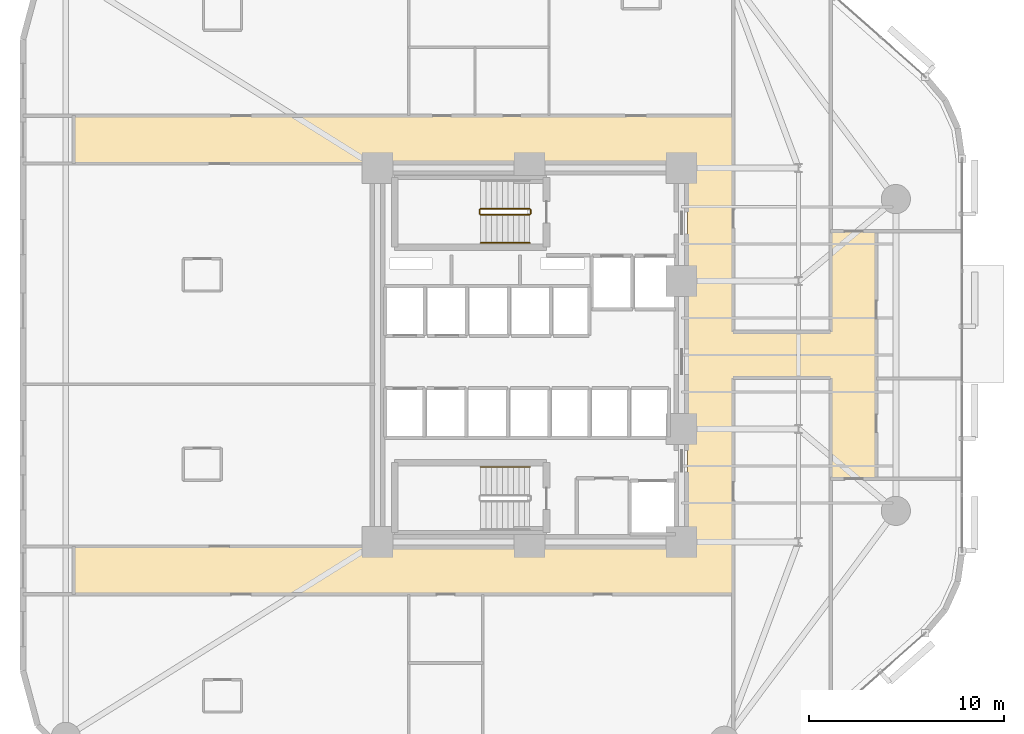
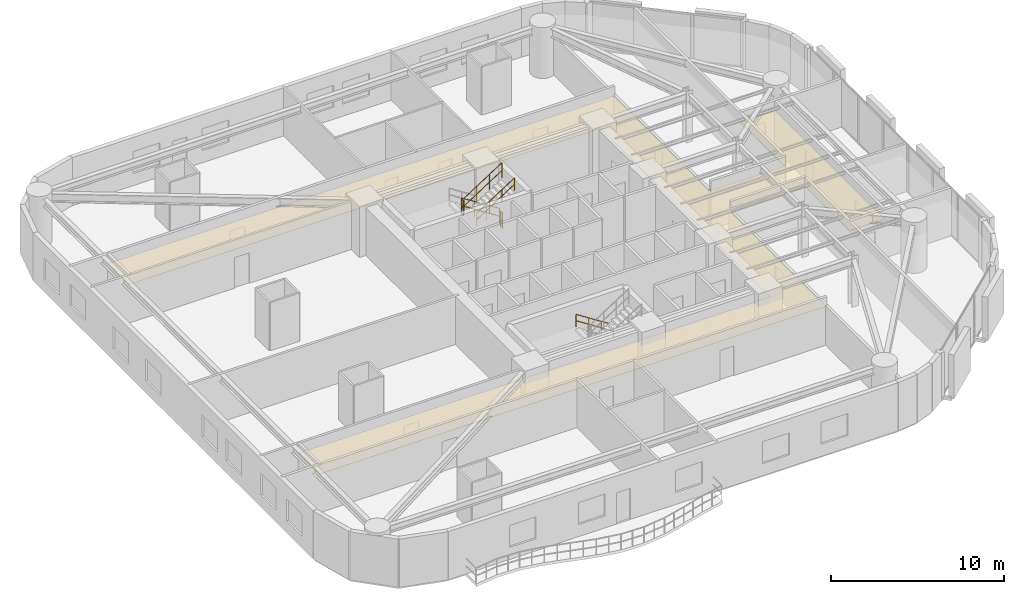
# One storey, part 15 of 16: 6 railings, 1 covering.
"""IFC4 building model written with IfcOpenShell, lengths in metres."""

from ifc_helpers import new_model, si_unit, direction, frame, origin, origin_2d, place, context, subcontext, project, spatial, polyline, circle, outline, extrude, material, layer, layer_set, type_object, element, save


model = new_model("IFC4")

# Units and contexts
model_context = context("Model", 3, precision=1e-05, world=origin(), true_north=direction((0.0, 1.0)))
body_context = subcontext(model_context, "Body", "Model", "MODEL_VIEW")
ifc_project = project(units=[si_unit("LENGTHUNIT", "METRE"), si_unit("AREAUNIT", "SQUARE_METRE"), si_unit("VOLUMEUNIT", "CUBIC_METRE"), si_unit("PLANEANGLEUNIT", "RADIAN"), si_unit("MASSUNIT", "GRAM", prefix="KILO")], contexts=[model_context])

# Site, building, storey
site_placement = place(None, origin())
site = spatial("IfcSite", under=ifc_project, at=site_placement, CompositionType="ELEMENT")
building_placement = place(site_placement, origin())
building = spatial("IfcBuilding", under=site, at=building_placement, Name="An Khanh Terracotta Commons", CompositionType="ELEMENT")
storey_placement = place(building_placement, frame((0.0, 0.0, 50.39990234375)))
storey = spatial("IfcBuildingStorey", under=building, at=storey_placement, Name="L13", CompositionType="ELEMENT", Elevation=50.39990234375)

# Covering
ifc_material_1 = material(Name="Perforated Mineral-Fibre Acoustic Tile")
ifc_layer = layer(ifc_material_1, 0.02001953125, Name="Perforated Mineral-Fibre Acoustic Tile")
ifc_layer_set = layer_set([ifc_layer], Name="Perforated Mineral-Fibre Acoustic Tile")
covering_type = type_object("IfcCoveringType", Name="CEIL-ACOUSTIC-18", PredefinedType="CEILING", material=ifc_layer_set)
covering_placement = place(storey_placement, frame((0.0, 0.0, 2.650146484375)))
element("IfcCovering", 1, at=covering_placement, inside=storey, type_object=covering_type, Name="L13 Corridor Ceiling", PredefinedType="CEILING", context=body_context, shape_type="SweptSolid", body=[
    extrude(outline(polyline([(6.0, 11.719970703125), (6.0, 14.179931640625), (37.5, 14.179931640625), (37.5, 33.820068359375), (6.0, 33.820068359375), (6.0, 36.280029296875), (37.5, 36.280029296875), (39.85009765625, 36.280029296875), (39.85009765625, 33.820068359375), (39.85009765625, 25.179931640625), (44.85009765625, 25.179931640625), (44.85009765625, 30.35009765625), (47.199951171875, 30.35009765625), (47.199951171875, 25.179931640625), (47.199951171875, 22.820068359375), (47.199951171875, 17.64990234375), (44.85009765625, 17.64990234375), (44.85009765625, 22.820068359375), (39.85009765625, 22.820068359375), (39.85009765625, 14.179931640625), (39.85009765625, 11.719970703125), (37.5, 11.719970703125), (6.0, 11.719970703125)])), origin(), (0.0, 0.0, 1.0), 0.02001953125),
])

# Railings
ifc_material_2 = material(Name="Brushed Stainless Steel 316", Category="steel")
railing_type_1 = type_object("IfcRailingType", Name="RAIL-HANDRAIL-900", PredefinedType="HANDRAIL", material=ifc_material_2)
railing_1_placement = place(storey_placement, frame((26.889892578125, 29.75, 1.97998046875)))
element("IfcRailing", 2, at=railing_1_placement, inside=storey, type_object=railing_type_1, Name="L13 ST-01 stair handrail 2", PredefinedType="HANDRAIL", context=body_context, shape_type="SweptSolid", body=[
    extrude(circle(Radius=0.02392578125, at=origin_2d()), frame((0.0, 0.0, 0.8759765625), z_axis=(0.841162588446, 0.0, 0.540782303519), x_axis=(0.0, 1.0, 0.0)), (0.0, 0.0, 1.0), 2.995849609375),
    extrude(circle(Radius=0.02392578125, at=origin_2d()), frame((0.0, 0.0, 0.42578125), z_axis=(0.841162588446, 0.0, 0.540782303519), x_axis=(0.0, 1.0, 0.0)), (0.0, 0.0, 1.0), 2.995849609375),
    extrude(circle(Radius=0.02099609375, at=origin_2d()), origin(), (0.0, 0.0, 1.0), 0.851806640625),
    extrude(circle(Radius=0.02099609375, at=origin_2d()), frame((0.840087890625, 0.0, 0.5400390625)), (0.0, 0.0, 1.0), 0.851806640625),
    extrude(circle(Radius=0.02099609375, at=origin_2d()), frame((1.679931640625, 0.0, 1.080078125)), (0.0, 0.0, 1.0), 0.851806640625),
    extrude(circle(Radius=0.02099609375, at=origin_2d()), frame((2.52001953125, 0.0, 1.6201171875)), (0.0, 0.0, 1.0), 0.851806640625),
])
railing_2_placement = place(storey_placement, frame((29.409912109375, 18.25, 0.18017578125)))
element("IfcRailing", 3, at=railing_2_placement, inside=storey, type_object=railing_type_1, Name="L13 ST-02 stair handrail 1", PredefinedType="HANDRAIL", context=body_context, shape_type="SweptSolid", body=[
    extrude(circle(Radius=0.02392578125, at=origin_2d()), frame((0.0, 0.0, 0.8759765625), z_axis=(-0.841199657755, 0.0, 0.540724639528), x_axis=(0.0, -1.0, 0.0)), (0.0, 0.0, 1.0), 2.995849609375),
    extrude(circle(Radius=0.02392578125, at=origin_2d()), frame((0.0, 0.0, 0.42578125), z_axis=(-0.841199657755, 0.0, 0.540724639528), x_axis=(0.0, -1.0, 0.0)), (0.0, 0.0, 1.0), 2.995849609375),
    extrude(circle(Radius=0.02099609375, at=origin_2d()), origin(), (0.0, 0.0, 1.0), 0.851806640625),
    extrude(circle(Radius=0.02099609375, at=origin_2d()), frame((-0.840087890625, 0.0, 0.5400390625)), (0.0, 0.0, 1.0), 0.851806640625),
    extrude(circle(Radius=0.02099609375, at=origin_2d()), frame((-1.679931640625, 0.0, 1.079833984375)), (0.0, 0.0, 1.0), 0.851806640625),
    extrude(circle(Radius=0.02099609375, at=origin_2d()), frame((-2.52001953125, 0.0, 1.619873046875)), (0.0, 0.0, 1.0), 0.851806640625),
])
ifc_material_3 = material(Name="Powder-Coated Steel S355J2", Category="steel")
railing_type_2 = type_object("IfcRailingType", Name="RAIL-STAIR-GUARD-1100", PredefinedType="BALUSTRADE", material=ifc_material_3)
railing_3_placement = place(storey_placement, frame((29.409912109375, 31.5, 0.18017578125)))
element("IfcRailing", 4, at=railing_3_placement, inside=storey, type_object=railing_type_2, Name="L13 ST-01 stair guard 1", PredefinedType="BALUSTRADE", context=body_context, shape_type="SweptSolid", body=[
    extrude(circle(Radius=0.02392578125, at=origin_2d()), frame((0.0, 0.0, 1.076171875), z_axis=(-0.841199657755, 0.0, 0.540724639528), x_axis=(0.0, -1.0, 0.0)), (0.0, 0.0, 1.0), 2.995849609375),
    extrude(circle(Radius=0.02392578125, at=origin_2d()), frame((0.0, 0.0, 0.52587890625), z_axis=(-0.841199657755, 0.0, 0.540724639528), x_axis=(0.0, -1.0, 0.0)), (0.0, 0.0, 1.0), 2.995849609375),
    extrude(circle(Radius=0.02099609375, at=origin_2d()), origin(), (0.0, 0.0, 1.0), 1.052001953125),
    extrude(circle(Radius=0.02099609375, at=origin_2d()), frame((-0.840087890625, 0.0, 0.5400390625)), (0.0, 0.0, 1.0), 1.052001953125),
    extrude(circle(Radius=0.02099609375, at=origin_2d()), frame((-1.679931640625, 0.0, 1.079833984375)), (0.0, 0.0, 1.0), 1.052001953125),
    extrude(circle(Radius=0.02099609375, at=origin_2d()), frame((-2.52001953125, 0.0, 1.619873046875)), (0.0, 0.0, 1.0), 1.052001953125),
])
railing_4_placement = place(storey_placement, frame((26.840087890625, 31.449951171875, 1.800048828125)))
element("IfcRailing", 5, at=railing_4_placement, inside=storey, type_object=railing_type_2, Name="L13 ST-01 stair guard 2", PredefinedType="BALUSTRADE", context=body_context, shape_type="SweptSolid", body=[
    extrude(circle(Radius=0.02392578125, at=origin_2d()), frame((0.0, 0.0, 1.076171875), z_axis=(0.0, -1.0, 0.0), x_axis=(1.0, 0.0, 0.0)), (0.0, 0.0, 1.0), 0.199951171875),
    extrude(circle(Radius=0.02392578125, at=origin_2d()), frame((0.0, 0.0, 0.52587890625), z_axis=(0.0, -1.0, 0.0), x_axis=(1.0, 0.0, 0.0)), (0.0, 0.0, 1.0), 0.199951171875),
    extrude(circle(Radius=0.02099609375, at=origin_2d()), origin(), (0.0, 0.0, 1.0), 1.052001953125),
    extrude(circle(Radius=0.02099609375, at=origin_2d()), frame((0.0, -0.199951171875, 0.0)), (0.0, 0.0, 1.0), 1.052001953125),
])
railing_5_placement = place(storey_placement, frame((26.889892578125, 31.199951171875, 1.97998046875)))
element("IfcRailing", 6, at=railing_5_placement, inside=storey, type_object=railing_type_2, Name="L13 ST-01 stair guard 3", PredefinedType="BALUSTRADE", context=body_context, shape_type="SweptSolid", body=[
    extrude(circle(Radius=0.02392578125, at=origin_2d()), frame((0.0, 0.0, 1.076171875), z_axis=(0.841162588446, 0.0, 0.540782303519), x_axis=(0.0, 1.0, 0.0)), (0.0, 0.0, 1.0), 2.995849609375),
    extrude(circle(Radius=0.02392578125, at=origin_2d()), frame((0.0, 0.0, 0.52587890625), z_axis=(0.841162588446, 0.0, 0.540782303519), x_axis=(0.0, 1.0, 0.0)), (0.0, 0.0, 1.0), 2.995849609375),
    extrude(circle(Radius=0.02099609375, at=origin_2d()), origin(), (0.0, 0.0, 1.0), 1.052001953125),
    extrude(circle(Radius=0.02099609375, at=origin_2d()), frame((0.840087890625, 0.0, 0.5400390625)), (0.0, 0.0, 1.0), 1.052001953125),
    extrude(circle(Radius=0.02099609375, at=origin_2d()), frame((1.679931640625, 0.0, 1.080078125)), (0.0, 0.0, 1.0), 1.052001953125),
    extrude(circle(Radius=0.02099609375, at=origin_2d()), frame((2.52001953125, 0.0, 1.6201171875)), (0.0, 0.0, 1.0), 1.052001953125),
])
railing_6_placement = place(storey_placement, frame((29.4599609375, 31.449951171875, 0.0)))
element("IfcRailing", 7, at=railing_6_placement, inside=storey, type_object=railing_type_2, Name="L13 ST-01 stair guard 4", PredefinedType="BALUSTRADE", context=body_context, shape_type="SweptSolid", body=[
    extrude(circle(Radius=0.02392578125, at=origin_2d()), frame((0.0, 0.0, 1.076171875), z_axis=(0.0, -1.0, 0.0), x_axis=(1.0, 0.0, 0.0)), (0.0, 0.0, 1.0), 0.199951171875),
    extrude(circle(Radius=0.02392578125, at=origin_2d()), frame((0.0, 0.0, 0.52587890625), z_axis=(0.0, -1.0, 0.0), x_axis=(1.0, 0.0, 0.0)), (0.0, 0.0, 1.0), 0.199951171875),
    extrude(circle(Radius=0.02099609375, at=origin_2d()), origin(), (0.0, 0.0, 1.0), 1.052001953125),
    extrude(circle(Radius=0.02099609375, at=origin_2d()), frame((0.0, -0.199951171875, 0.0)), (0.0, 0.0, 1.0), 1.052001953125),
])

save(model, "model.ifc")
